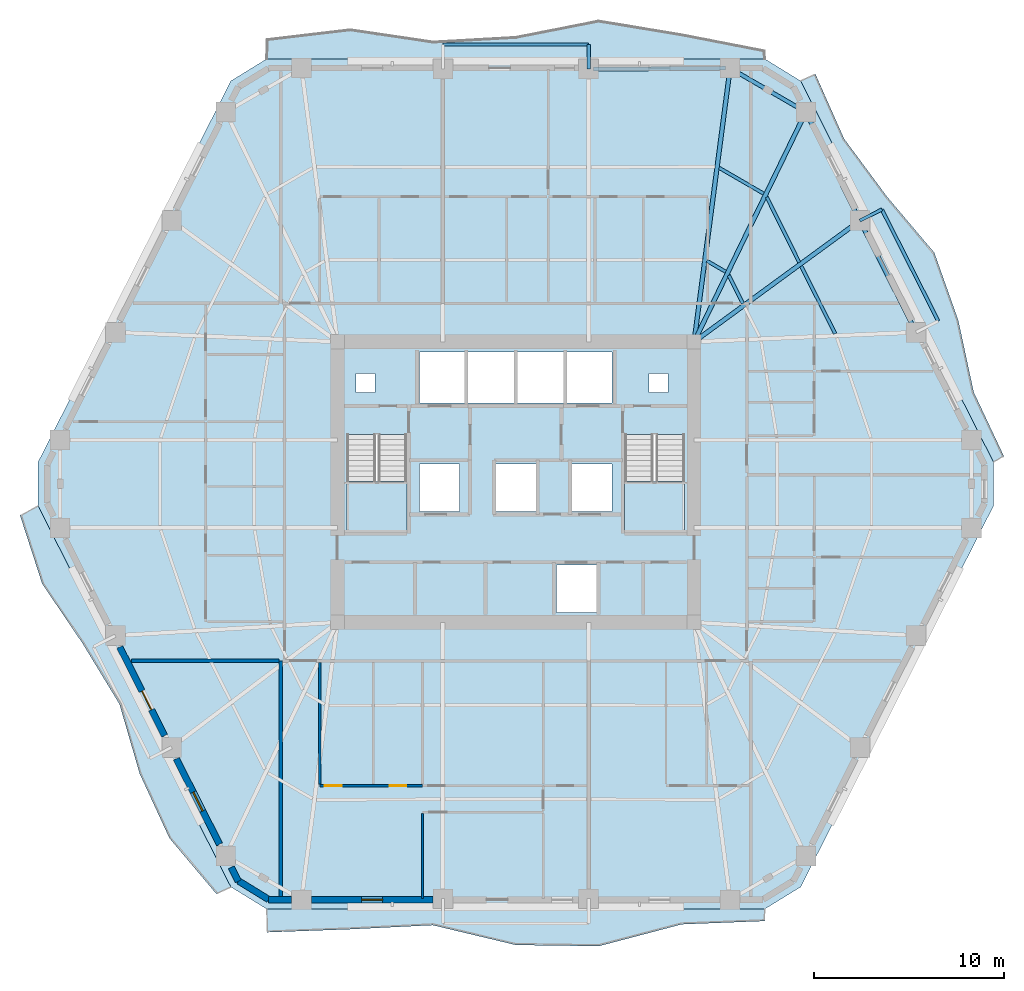
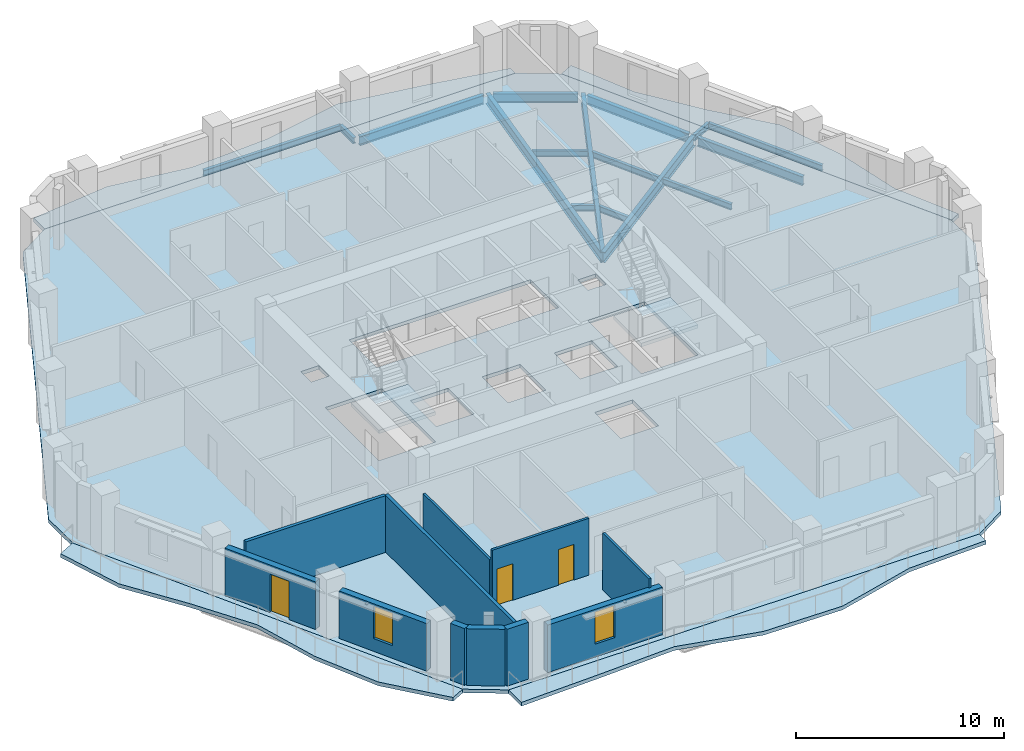
# One storey, part 3 of 12: 16 beams, 11 walls, 7 slabs, 3 doors, 2 windows, 5 openings, 2 elements without a shape of their own.
"""IFC4 building model written with IfcOpenShell, lengths in metres."""

from ifc_helpers import new_model, si_unit, direction, frame, frame_2d, origin, origin_2d, place, context, subcontext, project, spatial, polyline, rectangle, i_section, outline, extrude, material, layer, layer_set, material_profile, profile_set, type_object, element, fill, aggregate, save


model = new_model("IFC4")

# Units and contexts
model_context = context("Model", 3, precision=1e-05, world=origin(), true_north=direction((0.0, 1.0)))
body_context = subcontext(model_context, "Body", "Model", "MODEL_VIEW")
ifc_project = project(units=[si_unit("LENGTHUNIT", "METRE"), si_unit("AREAUNIT", "SQUARE_METRE"), si_unit("VOLUMEUNIT", "CUBIC_METRE"), si_unit("PLANEANGLEUNIT", "RADIAN"), si_unit("MASSUNIT", "GRAM", prefix="KILO")], contexts=[model_context])

# Site, building, storey
site_placement = place(None, origin())
site = spatial("IfcSite", under=ifc_project, at=site_placement, CompositionType="ELEMENT")
building_placement = place(site_placement, origin())
building = spatial("IfcBuilding", under=site, at=building_placement, Name="Cinnabar Lancet Tower", CompositionType="ELEMENT")
storey_placement = place(building_placement, frame((0.0, 0.0, 109.050048828125)))
storey = spatial("IfcBuildingStorey", under=building, at=storey_placement, Name="L28", CompositionType="ELEMENT", Elevation=109.050048828125)

# Beams
ifc_material_1 = material(Name="Structural steel S355", Category="steel")
ifc_material_profile_1 = material_profile(ifc_material_1, i_section(OverallWidth=0.17138671875, OverallDepth=0.35498046875, WebThickness=0.00732421875, FlangeThickness=0.011474609375, FilletRadius=0.01025390625, at=origin_2d()), Name="UKB 356x171x51")
ifc_profile_set_1 = profile_set([ifc_material_profile_1], Name="Structural steel S355")
beam_type_1 = type_object("IfcBeamType", Name="STR-BM-JST-356", PredefinedType="JOIST", material=ifc_profile_set_1)
beam_1_placement = place(storey_placement, frame((49.19189453125, 33.70703125, -0.386962890625), z_axis=(-0.450606998706, 0.892722427587, 0.0), x_axis=(-0.892722427587, -0.450606998706, 0.0)))
element("IfcBeam", 1, at=beam_1_placement, inside=storey, type_object=beam_type_1, Name="L28 Secondary Floor Joist 27", PredefinedType="JOIST", context=body_context, shape_type="SweptSolid", body=[
    extrude(i_section(OverallWidth=0.17138671875, OverallDepth=0.35498046875, WebThickness=0.00732421875, FlangeThickness=0.011474609375, FilletRadius=0.01025390625, at=origin_2d()), origin(), (0.0, 0.0, 1.0), 3.967529296875),
])
beam_2_placement = place(storey_placement, frame((47.300048828125, 37.455078125, -0.386962890625), z_axis=(-0.445116798807, 0.895472520751, 0.0), x_axis=(-0.895472520751, -0.445116798807, 0.0)))
element("IfcBeam", 2, at=beam_2_placement, inside=storey, type_object=beam_type_1, Name="L28 Secondary Floor Joist 29", PredefinedType="JOIST", context=body_context, shape_type="SweptSolid", body=[
    extrude(i_section(OverallWidth=0.17138671875, OverallDepth=0.35498046875, WebThickness=0.00732421875, FlangeThickness=0.011474609375, FilletRadius=0.01025390625, at=origin_2d()), origin(), (0.0, 0.0, 1.0), 3.8212890625),
])
beam_3_placement = place(storey_placement, frame((44.337890625, 35.2900390625, -0.386962890625), z_axis=(-0.445677136949, 0.895193772097, 0.0), x_axis=(-0.895193772097, -0.445677136949, 0.0)))
element("IfcBeam", 3, at=beam_3_placement, inside=storey, type_object=beam_type_1, Name="L28 Secondary Floor Joist 30", PredefinedType="JOIST", context=body_context, shape_type="SweptSolid", body=[
    extrude(i_section(OverallWidth=0.17138671875, OverallDepth=0.35498046875, WebThickness=0.00732421875, FlangeThickness=0.011474609375, FilletRadius=0.01025390625, at=origin_2d()), origin(), (0.0, 0.0, 1.0), 1.6533203125),
])
beam_4_placement = place(storey_placement, frame((45.43505859375, 41.06298828125, -0.386962890625), z_axis=(-0.865172906898, 0.501473669469, 0.0), x_axis=(-0.501473669469, -0.865172906898, 0.0)))
element("IfcBeam", 4, at=beam_4_placement, inside=storey, type_object=beam_type_1, Name="L28 Secondary Floor Joist 31", PredefinedType="JOIST", context=body_context, shape_type="SweptSolid", body=[
    extrude(i_section(OverallWidth=0.17138671875, OverallDepth=0.35498046875, WebThickness=0.00732421875, FlangeThickness=0.011474609375, FilletRadius=0.01025390625, at=origin_2d()), origin(), (0.0, 0.0, 1.0), 2.705810546875),
])
beam_5_placement = place(storey_placement, frame((43.43798828125, 36.9560546875, -0.386962890625), z_axis=(-0.865055308165, 0.501676503154, 0.0), x_axis=(-0.501676503154, -0.865055308165, 0.0)))
element("IfcBeam", 5, at=beam_5_placement, inside=storey, type_object=beam_type_1, Name="L28 Secondary Floor Joist 32", PredefinedType="JOIST", context=body_context, shape_type="SweptSolid", body=[
    extrude(i_section(OverallWidth=0.17138671875, OverallDepth=0.35498046875, WebThickness=0.00732421875, FlangeThickness=0.011474609375, FilletRadius=0.01025390625, at=origin_2d()), origin(), (0.0, 0.0, 1.0), 1.14208984375),
])
ifc_material_2 = material(Name="Structural steel S355", Category="steel")
ifc_material_profile_2 = material_profile(ifc_material_2, i_section(OverallWidth=0.209228515625, OverallDepth=0.533203125, WebThickness=0.010009765625, FlangeThickness=0.015625, FilletRadius=0.0126953125, at=origin_2d()), Name="UKB 533x210x92")
ifc_profile_set_2 = profile_set([ifc_material_profile_2], Name="Structural steel S355")
beam_type_2 = type_object("IfcBeamType", Name="STR-BM-SPN-533", PredefinedType="SPANDREL", material=ifc_profile_set_2)
beam_6_placement = place(storey_placement, frame((53.339111328125, 33.9990234375, -0.47705078125), z_axis=(-0.450570325924, 0.892740937449, 0.0), x_axis=(-0.892740937449, -0.450570325924, 0.0)))
element("IfcBeam", 6, at=beam_6_placement, inside=storey, type_object=beam_type_2, Name="L28 Perimeter Spandrel 10", PredefinedType="SPANDREL", context=body_context, shape_type="SweptSolid", body=[
    extrude(i_section(OverallWidth=0.209228515625, OverallDepth=0.533203125, WebThickness=0.010009765625, FlangeThickness=0.015625, FilletRadius=0.0126953125, at=origin_2d()), origin(), (0.0, 0.0, 1.0), 6.07470703125),
])
beam_7_placement = place(storey_placement, frame((50.3779296875, 39.868896484375, -0.47705078125), z_axis=(-0.445501068635, 0.89528140707, 0.0), x_axis=(-0.89528140707, -0.445501068635, 0.0)))
element("IfcBeam", 7, at=beam_7_placement, inside=storey, type_object=beam_type_2, Name="L28 Perimeter Spandrel 11", PredefinedType="SPANDREL", context=body_context, shape_type="SweptSolid", body=[
    extrude(i_section(OverallWidth=0.209228515625, OverallDepth=0.533203125, WebThickness=0.010009765625, FlangeThickness=0.015625, FilletRadius=0.0126953125, at=origin_2d()), origin(), (0.0, 0.0, 1.0), 5.87646484375),
])
beam_8_placement = place(storey_placement, frame((47.43310546875, 45.47900390625, -0.47705078125), z_axis=(-0.865138129765, 0.5015336643, 0.0), x_axis=(-0.5015336643, -0.865138129765, 0.0)))
element("IfcBeam", 8, at=beam_8_placement, inside=storey, type_object=beam_type_2, Name="L28 Perimeter Spandrel 12", PredefinedType="SPANDREL", context=body_context, shape_type="SweptSolid", body=[
    extrude(i_section(OverallWidth=0.209228515625, OverallDepth=0.533203125, WebThickness=0.010009765625, FlangeThickness=0.015625, FilletRadius=0.0126953125, at=origin_2d()), origin(), (0.0, 0.0, 1.0), 4.10107421875),
])
beam_9_placement = place(storey_placement, frame((43.4189453125, 47.658935546875, -0.47705078125), z_axis=(-0.999975228682, -0.007038609338, 0.0), x_axis=(0.007038609338, -0.999975228682, 0.0)))
element("IfcBeam", 9, at=beam_9_placement, inside=storey, type_object=beam_type_2, Name="L28 Perimeter Spandrel 13", PredefinedType="SPANDREL", context=body_context, shape_type="SweptSolid", body=[
    extrude(i_section(OverallWidth=0.209228515625, OverallDepth=0.533203125, WebThickness=0.010009765625, FlangeThickness=0.015625, FilletRadius=0.0126953125, at=origin_2d()), origin(), (0.0, 0.0, 1.0), 6.937255859375),
])
ifc_material_3 = material(Name="Structural steel S355", Category="steel")
ifc_material_profile_3 = material_profile(ifc_material_3, i_section(OverallWidth=0.228271484375, OverallDepth=0.607666015625, WebThickness=0.010986328125, FlangeThickness=0.017333984375, FilletRadius=0.0126953125, at=origin_2d()), Name="UKB 610x229x113")
ifc_profile_set_3 = profile_set([ifc_material_profile_3], Name="Structural steel S355")
beam_type_3 = type_object("IfcBeamType", Name="STR-BM-UKB610-113", PredefinedType="BEAM", material=ifc_profile_set_3)
beam_10_placement = place(storey_placement, frame((50.489013671875, 39.64501953125, -0.51416015625), z_axis=(-0.807297870919, -0.590144175273, 0.0), x_axis=(0.590144175273, -0.807297870919, 0.0)))
element("IfcBeam", 10, at=beam_10_placement, inside=storey, type_object=beam_type_3, Name="L28 Corner Collector Girder 3", PredefinedType="BEAM", context=body_context, shape_type="SweptSolid", body=[
    extrude(i_section(OverallWidth=0.228271484375, OverallDepth=0.607666015625, WebThickness=0.010986328125, FlangeThickness=0.017333984375, FilletRadius=0.0126953125, at=origin_2d()), origin(), (0.0, 0.0, 1.0), 10.794189453125),
])
beam_11_placement = place(storey_placement, frame((47.64892578125, 45.35400390625, -0.51416015625), z_axis=(-0.437327473227, -0.899302330232, 0.0), x_axis=(0.899302330232, -0.437327473227, 0.0)))
element("IfcBeam", 11, at=beam_11_placement, inside=storey, type_object=beam_type_3, Name="L28 Primary Floor Girder 12", PredefinedType="BEAM", context=body_context, shape_type="SweptSolid", body=[
    extrude(i_section(OverallWidth=0.228271484375, OverallDepth=0.607666015625, WebThickness=0.010986328125, FlangeThickness=0.017333984375, FilletRadius=0.0126953125, at=origin_2d()), origin(), (0.0, 0.0, 1.0), 13.431640625),
])
beam_12_placement = place(storey_placement, frame((43.6689453125, 47.660888671875, -0.51416015625), z_axis=(-0.130532420418, -0.991444041396, 0.0), x_axis=(0.991444041396, -0.130532420418, 0.0)))
element("IfcBeam", 12, at=beam_12_placement, inside=storey, type_object=beam_type_3, Name="L28 Primary Floor Girder 13", PredefinedType="BEAM", context=body_context, shape_type="SweptSolid", body=[
    extrude(i_section(OverallWidth=0.228271484375, OverallDepth=0.607666015625, WebThickness=0.010986328125, FlangeThickness=0.017333984375, FilletRadius=0.0126953125, at=origin_2d()), origin(), (0.0, 0.0, 1.0), 14.51025390625),
])
ifc_material_4 = material(Name="Structural steel S355", Category="steel")
ifc_material_profile_4 = material_profile(ifc_material_4, i_section(OverallWidth=0.17138671875, OverallDepth=0.35498046875, WebThickness=0.00732421875, FlangeThickness=0.011474609375, FilletRadius=0.01025390625, at=origin_2d()), Name="UKB 356x171x51")
ifc_profile_set_4 = profile_set([ifc_material_profile_4], Name="Structural steel S355")
beam_type_4 = type_object("IfcBeamType", Name="STR-BM-WAV-OUT", PredefinedType="BEAM", material=ifc_profile_set_4)
for number, where, z_axis, x_axis, name in (
    (13, (50.489013671875, 39.64501953125, -0.39697265625), (0.89227592947, 0.451490493464, 0.0), (-0.451490493464, 0.89227592947, 0.0), "L28 Face 3 Balcony Outlooker B"),
    (14, (36.23193359375, 47.60791015625, -0.39697265625), (0.0, 1.0, 0.0), (-1.0, 0.0, 0.0), "L28 Face 4 Balcony Outlooker A"),
):
    element("IfcBeam", number, at=place(storey_placement, frame(where, z_axis=z_axis, x_axis=x_axis)), inside=storey, type_object=beam_type_4, Name=name, PredefinedType="BEAM", context=body_context, shape_type="SweptSolid", body=[
        extrude(i_section(OverallWidth=0.17138671875, OverallDepth=0.35498046875, WebThickness=0.00732421875, FlangeThickness=0.011474609375, FilletRadius=0.01025390625, at=origin_2d()), origin(), (0.0, 0.0, 1.0), 1.300048828125),
    ])
ifc_material_5 = material(Name="Structural steel S355", Category="steel")
ifc_material_profile_5 = material_profile(ifc_material_5, i_section(OverallWidth=0.17138671875, OverallDepth=0.35498046875, WebThickness=0.00732421875, FlangeThickness=0.011474609375, FilletRadius=0.01025390625, at=origin_2d()), Name="UKB 356x171x51")
ifc_profile_set_5 = profile_set([ifc_material_profile_5], Name="Structural steel S355")
beam_type_5 = type_object("IfcBeamType", Name="STR-BM-WAV-TRIM", PredefinedType="SPANDREL", material=ifc_profile_set_5)
beam_13_placement = place(storey_placement, frame((54.612060546875, 34.363037109375, -0.39697265625), z_axis=(-0.450700828166, 0.892675060417, 0.0), x_axis=(-0.892675060417, -0.450700828166, 0.0)))
element("IfcBeam", 15, at=beam_13_placement, inside=storey, type_object=beam_type_5, Name="L28 Face 3 Balcony Edge Trimmer", PredefinedType="SPANDREL", context=body_context, shape_type="SweptSolid", body=[
    extrude(i_section(OverallWidth=0.17138671875, OverallDepth=0.35498046875, WebThickness=0.00732421875, FlangeThickness=0.011474609375, FilletRadius=0.01025390625, at=origin_2d()), origin(), (0.0, 0.0, 1.0), 6.574462890625),
])
beam_14_placement = place(storey_placement, frame((36.23193359375, 48.907958984375, -0.39697265625), z_axis=(-1.0, 0.0, 0.0), x_axis=(0.0, -1.0, 0.0)))
element("IfcBeam", 16, at=beam_14_placement, inside=storey, type_object=beam_type_5, Name="L28 Face 4 Balcony Edge Trimmer", PredefinedType="SPANDREL", context=body_context, shape_type="SweptSolid", body=[
    extrude(i_section(OverallWidth=0.17138671875, OverallDepth=0.35498046875, WebThickness=0.00732421875, FlangeThickness=0.011474609375, FilletRadius=0.01025390625, at=origin_2d()), origin(), (0.0, 0.0, 1.0), 7.663818359375),
])

# Stair, slab
ifc_material_6 = material(Name="Concrete C40/50", Category="concrete")
stair_type = type_object("IfcStairType", Name="ST-CORE", PredefinedType="HALF_TURN_STAIR", material=ifc_material_6)
stair_1_placement = place(storey_placement, origin())
stair_1 = element("IfcStair", 17, at=stair_1_placement, inside=storey, type_object=stair_type, Name="L28 ST-1", PredefinedType="HALF_TURN_STAIR")
ifc_material_7 = material(Name="Concrete C40/50", Category="concrete")
ifc_layer_1 = layer(ifc_material_7, 0.199951171875)
ifc_layer_set_1 = layer_set([ifc_layer_1], Name="Concrete C40/50")
slab_type_1 = type_object("IfcSlabType", Name="LANDING-CORE", PredefinedType="LANDING", material=ifc_layer_set_1)
slab_1_placement = place(storey_placement, frame((0.0, 0.0, 1.574951171875)))
slab_1 = element("IfcSlab", 18, at=slab_1_placement, type_object=slab_type_1, Name="ST-1 landing 1", PredefinedType="LANDING", context=body_context, shape_type="SweptSolid", body=[
    extrude(outline(polyline([(23.52490234375, 25.925048828125), (23.52490234375, 23.25), (26.675048828125, 23.25), (26.675048828125, 25.925048828125), (23.52490234375, 25.925048828125)])), origin(), (0.0, 0.0, 1.0), 0.199951171875),
])
aggregate(stair_1, [slab_1])

stair_2_placement = place(storey_placement, origin())
stair_2 = element("IfcStair", 19, at=stair_2_placement, inside=storey, type_object=stair_type, Name="L28 ST-2", PredefinedType="HALF_TURN_STAIR")
slab_2_placement = place(storey_placement, frame((0.0, 0.0, 1.574951171875)))
slab_2 = element("IfcSlab", 20, at=slab_2_placement, type_object=slab_type_1, Name="ST-2 landing 1", PredefinedType="LANDING", context=body_context, shape_type="SweptSolid", body=[
    extrude(outline(polyline([(38.125, 25.925048828125), (38.125, 23.25), (41.27490234375, 23.25), (41.27490234375, 25.925048828125), (38.125, 25.925048828125)])), origin(), (0.0, 0.0, 1.0), 0.199951171875),
])
aggregate(stair_2, [slab_2])

# Slabs
ifc_material_8 = material(Name="Concrete C40/50", Category="concrete")
ifc_layer_2 = layer(ifc_material_8, 0.2099609375)
ifc_layer_set_2 = layer_set([ifc_layer_2], Name="Concrete C40/50")
slab_type_2 = type_object("IfcSlabType", Name="STR-SLB-FLR-210", PredefinedType="FLOOR", material=ifc_layer_set_2)
slab_3_placement = place(storey_placement, frame((0.0, 0.0, -0.2099609375)))
element("IfcSlab", 21, at=slab_3_placement, inside=storey, type_object=slab_type_2, Name="L28 Structural Floor Slab", PredefinedType="FLOOR", context=body_context, shape_type="SweptSolid", body=[
    extrude(outline(polyline([(17.4208984375, 4.610107421875), (19.30810546875, 3.449951171875), (45.491943359375, 3.449951171875), (47.37890625, 4.610107421875), (57.512939453125, 24.639892578125), (57.512939453125, 26.9599609375), (47.37890625, 46.989990234375), (45.491943359375, 48.14990234375), (19.30810546875, 48.14990234375), (17.4208984375, 46.989990234375), (7.287109375, 26.9599609375), (7.287109375, 24.639892578125), (17.4208984375, 4.610107421875)]), holes=[polyline([(23.52490234375, 23.25), (26.675048828125, 23.25), (26.675048828125, 28.3994140625), (23.52490234375, 28.3994140625), (23.52490234375, 23.25)]), polyline([(38.125, 23.25), (41.27490234375, 23.25), (41.27490234375, 28.3994140625), (38.125, 28.3994140625), (38.125, 23.25)]), polyline([(27.35009765625, 30.050048828125), (37.449951171875, 30.050048828125), (37.449951171875, 32.75), (27.35009765625, 32.75), (27.35009765625, 30.050048828125)]), polyline([(34.550048828125, 19.050048828125), (36.64990234375, 19.050048828125), (36.64990234375, 21.550048828125), (34.550048828125, 21.550048828125), (34.550048828125, 19.050048828125)]), polyline([(27.35009765625, 24.35009765625), (29.449951171875, 24.35009765625), (29.449951171875, 26.85009765625), (27.35009765625, 26.85009765625), (27.35009765625, 24.35009765625)]), polyline([(35.35009765625, 24.35009765625), (37.449951171875, 24.35009765625), (37.449951171875, 26.85009765625), (35.35009765625, 26.85009765625), (35.35009765625, 24.35009765625)]), polyline([(31.35009765625, 24.35009765625), (33.449951171875, 24.35009765625), (33.449951171875, 26.85009765625), (31.35009765625, 26.85009765625), (31.35009765625, 24.35009765625)]), polyline([(24.0, 30.60009765625), (25.0, 30.60009765625), (25.0, 31.60009765625), (24.0, 31.60009765625), (24.0, 30.60009765625)]), polyline([(39.39990234375, 30.60009765625), (40.39990234375, 30.60009765625), (40.39990234375, 31.60009765625), (39.39990234375, 31.60009765625), (39.39990234375, 30.60009765625)])]), origin(), (0.0, 0.0, 1.0), 0.2099609375),
])
ifc_material_9 = material(Name="Concrete C45/55", Category="concrete")
ifc_layer_3 = layer(ifc_material_9, 0.219970703125)
ifc_layer_set_3 = layer_set([ifc_layer_3], Name="Concrete C45/55")
slab_type_3 = type_object("IfcSlabType", Name="STR-SLB-WAV-220", PredefinedType="FLOOR", material=ifc_layer_set_3)
slab_4_placement = place(storey_placement, frame((0.0, 0.0, -0.219970703125)))
element("IfcSlab", 22, at=slab_4_placement, inside=storey, type_object=slab_type_3, Name="L28 Face 1 Undulating Wave Balcony Slab", PredefinedType="FLOOR", context=body_context, shape_type="SweptSolid", body=[
    extrude(outline(polyline([(19.30810546875, 3.449951171875), (19.30810546875, 2.22705078125), (23.672119140625, 2.387939453125), (28.035888671875, 2.60205078125), (32.39990234375, 1.56103515625), (36.763916015625, 1.4990234375), (41.1279296875, 2.64794921875), (45.491943359375, 2.820068359375), (45.491943359375, 3.449951171875), (19.30810546875, 3.449951171875)])), origin(), (0.0, 0.0, 1.0), 0.219970703125),
])
slab_5_placement = place(storey_placement, frame((0.0, 0.0, -0.219970703125)))
element("IfcSlab", 23, at=slab_5_placement, inside=storey, type_object=slab_type_3, Name="L28 Face 3 Undulating Wave Balcony Slab", PredefinedType="FLOOR", context=body_context, shape_type="SweptSolid", body=[
    extrude(outline(polyline([(57.512939453125, 26.9599609375), (58.069091796875, 27.241943359375), (56.47607421875, 30.6279296875), (55.6630859375, 34.409912109375), (54.402099609375, 37.964111328125), (51.919921875, 40.902099609375), (49.658935546875, 43.950927734375), (48.139892578125, 47.375), (47.37890625, 46.989990234375), (57.512939453125, 26.9599609375)])), origin(), (0.0, 0.0, 1.0), 0.219970703125),
])
slab_6_placement = place(storey_placement, frame((0.0, 0.0, -0.219970703125)))
element("IfcSlab", 24, at=slab_6_placement, inside=storey, type_object=slab_type_3, Name="L28 Face 4 Undulating Wave Balcony Slab", PredefinedType="FLOOR", context=body_context, shape_type="SweptSolid", body=[
    extrude(outline(polyline([(45.491943359375, 48.14990234375), (45.491943359375, 48.6201171875), (41.1279296875, 49.472900390625), (36.763916015625, 50.194091796875), (32.39990234375, 49.337890625), (28.035888671875, 49.091064453125), (23.672119140625, 49.73291015625), (19.30810546875, 49.212890625), (19.30810546875, 48.14990234375), (45.491943359375, 48.14990234375)])), origin(), (0.0, 0.0, 1.0), 0.219970703125),
])
slab_7_placement = place(storey_placement, frame((0.0, 0.0, -0.219970703125)))
element("IfcSlab", 25, at=slab_7_placement, inside=storey, type_object=slab_type_3, Name="L28 Face 6 Undulating Wave Balcony Slab", PredefinedType="FLOOR", context=body_context, shape_type="SweptSolid", body=[
    extrude(outline(polyline([(7.287109375, 24.639892578125), (6.3330078125, 24.156982421875), (7.5, 20.554931640625), (9.613037109375, 17.430908203125), (11.56396484375, 14.22509765625), (12.6259765625, 10.570068359375), (14.195068359375, 7.1708984375), (16.672119140625, 4.23095703125), (17.4208984375, 4.610107421875), (7.287109375, 24.639892578125)])), origin(), (0.0, 0.0, 1.0), 0.219970703125),
])

# Walls
ifc_material_10 = material(Name="Fire-rated twin-frame acoustic drywall", Category="gypsum")
ifc_layer_4 = layer(ifc_material_10, 0.179931640625)
ifc_layer_set_4 = layer_set([ifc_layer_4], Name="Fire-rated twin-frame acoustic drywall")
wall_type_1 = type_object("IfcWallType", Name="ARC-WL-PARTY-180", PredefinedType="PARTITIONING", material=ifc_layer_set_4)
wall_1_placement = place(storey_placement, frame((20.050048828125, 4.10498046875, 0.0), z_axis=(0.0, 0.0, 1.0), x_axis=(0.0, 1.0, 0.0)))
element("IfcWall", 26, at=wall_1_placement, inside=storey, type_object=wall_type_1, Name="PW-L28-SPTY-200", PredefinedType="PARTITIONING", context=body_context, shape_type="SweptSolid", body=[
    extrude(rectangle(XDim=12.39501953125, YDim=0.179931640625, at=frame_2d((6.197509765625, 0.0))), origin(), (0.0, 0.0, 1.0), 3.33984375),
])
wall_2_placement = place(storey_placement, frame((12.18505859375, 16.5, 0.0), z_axis=(0.0, 0.0, 1.0), x_axis=(1.0, 0.0, 0.0)))
element("IfcWall", 27, at=wall_2_placement, inside=storey, type_object=wall_type_1, Name="PW-L28-WSB", PredefinedType="PARTITIONING", context=body_context, shape_type="SweptSolid", body=[
    extrude(rectangle(XDim=7.77001953125, YDim=0.179931640625, at=frame_2d((3.885009765625, 0.0))), origin(), (0.0, 0.0, 1.0), 3.33984375),
])
ifc_material_11 = material(Name="Gypsum plasterboard stud partition", Category="gypsum")
ifc_layer_5 = layer(ifc_material_11, 0.125)
ifc_layer_set_5 = layer_set([ifc_layer_5], Name="Gypsum plasterboard stud partition")
wall_type_2 = type_object("IfcWallType", Name="ARC-WL-UNIT-125", PredefinedType="PARTITIONING", material=ifc_layer_set_5)
wall_3_placement = place(storey_placement, frame((22.10009765625, 10.035888671875, 0.0), z_axis=(0.0, 0.0, 1.0), x_axis=(0.0, 1.0, 0.0)))
element("IfcWall", 28, at=wall_3_placement, inside=storey, type_object=wall_type_2, Name="UW-L28-S01-FOYE", PredefinedType="PARTITIONING", context=body_context, shape_type="SweptSolid", body=[
    extrude(rectangle(XDim=6.379150390625, YDim=0.125, at=frame_2d((3.189453125, 0.0))), origin(), (0.0, 0.0, 1.0), 2.721923828125),
])
wall_4_placement = place(storey_placement, frame((27.493896484375, 4.014892578125, 0.0), z_axis=(0.0, 0.0, 1.0), x_axis=(0.0, 1.0, 0.0)))
element("IfcWall", 29, at=wall_4_placement, inside=storey, type_object=wall_type_2, Name="UW-L28-S01-BD2W", PredefinedType="PARTITIONING", context=body_context, shape_type="SweptSolid", body=[
    extrude(rectangle(XDim=4.451171875, YDim=0.125, at=frame_2d((2.2255859375, 0.0))), origin(), (0.0, 0.0, 1.0), 3.33984375),
])

# Wall, openings, doors
ifc_material_12 = material(Name="Moisture-resistant cement-board plumbing wall", Category="masonry")
ifc_layer_6 = layer(ifc_material_12, 0.139892578125)
ifc_layer_set_6 = layer_set([ifc_layer_6], Name="Moisture-resistant cement-board plumbing wall")
wall_type_3 = type_object("IfcWallType", Name="ARC-WL-WET-140", PredefinedType="PLUMBINGWALL", material=ifc_layer_set_6)
wall_5_placement = place(storey_placement, frame((22.10009765625, 9.930908203125, 0.0), z_axis=(0.0, 0.0, 1.0), x_axis=(1.0, 0.0, 0.0)))
wall_5 = element("IfcWall", 30, at=wall_5_placement, inside=storey, type_object=wall_type_3, Name="UW-L28-S01-SPL", PredefinedType="PLUMBINGWALL", context=body_context, shape_type="SweptSolid", body=[
    extrude(rectangle(XDim=5.393798828125, YDim=0.139892578125, at=frame_2d((2.69677734375, 0.0))), origin(), (0.0, 0.0, 1.0), 3.33984375),
])
opening_1_placement = place(wall_5_placement, frame((3.674072265625, 0.0, 0.0)))
opening_1 = element("IfcOpeningElement", 31, at=opening_1_placement, cuts=wall_5, Name="Opening BD-01", PredefinedType="OPENING", context=body_context, shape_type="SweptSolid", body=[
    extrude(rectangle(XDim=0.860107421875, YDim=2.10009765625, at=frame_2d((0.43017578125, 1.050048828125))), frame((0.0, 0.079833984375, 0.0), z_axis=(0.0, -1.0, 0.0), x_axis=(1.0, 0.0, 0.0)), (0.0, 0.0, 1.0), 0.159912109375),
])
opening_2_placement = place(wall_5_placement, frame((0.260009765625, 0.0, 0.0)))
opening_2 = element("IfcOpeningElement", 32, at=opening_2_placement, cuts=wall_5, Name="Opening RD-02", PredefinedType="OPENING", context=body_context, shape_type="SweptSolid", body=[
    extrude(rectangle(XDim=0.8798828125, YDim=2.14990234375, at=frame_2d((0.43994140625, 1.074951171875))), frame((0.0, 0.079833984375, 0.0), z_axis=(0.0, -1.0, 0.0), x_axis=(1.0, 0.0, 0.0)), (0.0, 0.0, 1.0), 0.159912109375),
])
ifc_material_13 = material(Name="Moisture-resistant timber bathroom door", Category="wood")
door_type_1 = type_object("IfcDoorType", Name="ARC-DR-BATH", OperationType="NOTDEFINED", PredefinedType="DOOR", material=ifc_material_13)
door_1_placement = place(opening_1_placement, origin())
door_1 = element("IfcDoor", 33, at=door_1_placement, inside=storey, type_object=door_type_1, Name="DR-L28-S01-BTH", OperationType="SINGLE_SWING_LEFT", OverallHeight=2.10009765625, OverallWidth=0.860107421875, PredefinedType="DOOR", context=body_context, shape_type="SweptSolid", body=[
    extrude(rectangle(XDim=0.860107421875, YDim=2.10009765625, at=frame_2d((0.43017578125, 1.050048828125))), frame((0.0, 0.02490234375, 0.0), z_axis=(0.0, -1.0, 0.0), x_axis=(1.0, 0.0, 0.0)), (0.0, 0.0, 1.0), 0.050048828125),
])
fill(opening_1, door_1)
ifc_material_14 = material(Name="Engineered timber study door", Category="wood")
door_type_2 = type_object("IfcDoorType", Name="ARC-DR-STUDY", OperationType="NOTDEFINED", PredefinedType="DOOR", material=ifc_material_14)
door_2_placement = place(opening_2_placement, origin())
door_2 = element("IfcDoor", 34, at=door_2_placement, inside=storey, type_object=door_type_2, Name="DR-L28-S01-KIT", OperationType="SINGLE_SWING_RIGHT", OverallHeight=2.14990234375, OverallWidth=0.8798828125, PredefinedType="DOOR", context=body_context, shape_type="SweptSolid", body=[
    extrude(rectangle(XDim=0.8798828125, YDim=2.14990234375, at=frame_2d((0.43994140625, 1.074951171875))), frame((0.0, 0.02490234375, 0.0), z_axis=(0.0, -1.0, 0.0), x_axis=(1.0, 0.0, 0.0)), (0.0, 0.0, 1.0), 0.050048828125),
])
fill(opening_2, door_2)

# Walls
ifc_material_15 = material(Name="Cinnabar red clay brick", Category="masonry")
ifc_layer_7 = layer(ifc_material_15, 0.340087890625)
ifc_layer_set_7 = layer_set([ifc_layer_7], Name="Cinnabar red clay brick")
wall_type_4 = type_object("IfcWallType", Name="ENV-WL-BRK-RED-340", PredefinedType="STANDARD", material=ifc_layer_set_7)
wall_6_placement = place(storey_placement, frame((17.8291015625, 4.923095703125, 0.0), z_axis=(0.0, 0.0, 1.0), x_axis=(0.851798915137, -0.523868884523, 0.0)))
element("IfcWall", 35, at=wall_6_placement, inside=storey, type_object=wall_type_4, Name="L28 Chamfered Corner Brick Pier 1.1", PredefinedType="STANDARD", context=body_context, shape_type="SweptSolid", body=[
    extrude(rectangle(XDim=1.847900390625, YDim=0.340087890625, at=frame_2d((0.923828125, 0.0))), origin(), (0.0, 0.0, 1.0), 3.33984375),
])
wall_7_placement = place(storey_placement, frame((19.39794921875, 3.929931640625, 0.0), z_axis=(0.0, 0.0, 1.0), x_axis=(1.0, 0.0, 0.0)))
element("IfcWall", 36, at=wall_7_placement, inside=storey, type_object=wall_type_4, Name="L28 Face 1 Masonry Bay Wall 1", PredefinedType="STANDARD", context=body_context, shape_type="SweptSolid", body=[
    extrude(rectangle(XDim=1.2041015625, YDim=0.340087890625, at=frame_2d((0.60205078125, 0.0))), origin(), (0.0, 0.0, 1.0), 3.33984375),
])

# Wall, opening, window
wall_8_placement = place(storey_placement, frame((21.659912109375, 3.929931640625, 0.0), z_axis=(0.0, 0.0, 1.0), x_axis=(1.0, 0.0, 0.0)))
wall_8 = element("IfcWall", 37, at=wall_8_placement, inside=storey, type_object=wall_type_4, Name="L28 Face 1 Masonry Bay Wall 2", PredefinedType="STANDARD", context=body_context, shape_type="SweptSolid", body=[
    extrude(rectangle(XDim=6.379150390625, YDim=0.340087890625, at=frame_2d((3.189453125, 0.0))), origin(), (0.0, 0.0, 1.0), 2.796875),
])
opening_3_placement = place(wall_8_placement, frame((2.639892578125, 0.0, 0.75)))
opening_3 = element("IfcOpeningElement", 38, at=opening_3_placement, cuts=wall_8, Name="Opening WN-04", PredefinedType="OPENING", context=body_context, shape_type="SweptSolid", body=[
    extrude(rectangle(XDim=1.10009765625, YDim=1.89697265625, at=frame_2d((0.550048828125, 0.948486328125))), frame((0.0, 0.179931640625, 0.0), z_axis=(0.0, -1.0, 0.0), x_axis=(1.0, 0.0, 0.0)), (0.0, 0.0, 1.0), 0.360107421875),
])
ifc_material_16 = material(Name="Thermally broken bronze-anodized aluminium tall lancet window", Category="aluminium")
window_type = type_object("IfcWindowType", Name="ENV-WN-LANCET-1100", PartitioningType="SINGLE_PANEL", PredefinedType="WINDOW", material=ifc_material_16)
window_1_placement = place(opening_3_placement, origin())
window_1 = element("IfcWindow", 39, at=window_1_placement, inside=storey, type_object=window_type, Name="L28 Face 1 Gothic Lancet Window 2", OverallHeight=1.89697265625, OverallWidth=1.10009765625, PartitioningType="SINGLE_PANEL", PredefinedType="WINDOW", context=body_context, shape_type="SweptSolid", body=[
    extrude(rectangle(XDim=1.10009765625, YDim=1.89697265625, at=frame_2d((0.550048828125, 0.948486328125))), frame((0.0, 0.030029296875, 0.0), z_axis=(0.0, -1.0, 0.0), x_axis=(1.0, 0.0, 0.0)), (0.0, 0.0, 1.0), 0.06005859375),
])
fill(opening_3, window_1)

# Wall, opening, door
wall_9_placement = place(storey_placement, frame((11.580078125, 17.218017578125, 0.0), z_axis=(0.0, 0.0, 1.0), x_axis=(0.451567731634, -0.892236842855, 0.0)))
wall_9 = element("IfcWall", 40, at=wall_9_placement, inside=storey, type_object=wall_type_4, Name="L28 Face 6 Masonry Bay Wall 3", PredefinedType="STANDARD", context=body_context, shape_type="SweptSolid", body=[
    extrude(rectangle(XDim=5.219482421875, YDim=0.340087890625, at=frame_2d((2.60986328125, 0.0))), origin(), (0.0, 0.0, 1.0), 2.796875),
])
opening_4_placement = place(wall_9_placement, frame((2.5869140625, 0.0, 0.0)))
opening_4 = element("IfcOpeningElement", 41, at=opening_4_placement, cuts=wall_9, Name="Opening TD-01", PredefinedType="OPENING", context=body_context, shape_type="SweptSolid", body=[
    extrude(rectangle(XDim=1.10009765625, YDim=2.25, at=frame_2d((0.550048828125, 1.125))), frame((0.0, 0.179931640625, 0.0), z_axis=(0.0, -1.0, 0.0), x_axis=(1.0, 0.0, 0.0)), (0.0, 0.0, 1.0), 0.360107421875),
])
ifc_material_17 = material(Name="Thermally broken low-E glazed balcony terrace door", Category="wood")
door_type_3 = type_object("IfcDoorType", Name="ARC-DR-BALC", OperationType="NOTDEFINED", PredefinedType="DOOR", material=ifc_material_17)
door_3_placement = place(opening_4_placement, origin())
door_3 = element("IfcDoor", 42, at=door_3_placement, inside=storey, type_object=door_type_3, Name="L28 Face 6 Glazed Terrace Door", OperationType="SINGLE_SWING_RIGHT", OverallHeight=2.25, OverallWidth=1.10009765625, PredefinedType="DOOR", context=body_context, shape_type="SweptSolid", body=[
    extrude(rectangle(XDim=1.10009765625, YDim=2.25, at=frame_2d((0.550048828125, 1.125))), frame((0.0, 0.02490234375, 0.0), z_axis=(0.0, -1.0, 0.0), x_axis=(1.0, 0.0, 0.0)), (0.0, 0.0, 1.0), 0.050048828125),
])
fill(opening_4, door_3)

# Wall, opening, window
wall_10_placement = place(storey_placement, frame((14.549072265625, 11.34912109375, 0.0), z_axis=(0.0, 0.0, 1.0), x_axis=(0.451548465867, -0.892246593142, 0.0)))
wall_10 = element("IfcWall", 43, at=wall_10_placement, inside=storey, type_object=wall_type_4, Name="L28 Face 6 Masonry Bay Wall 4", PredefinedType="STANDARD", context=body_context, shape_type="SweptSolid", body=[
    extrude(rectangle(XDim=5.040283203125, YDim=0.340087890625, at=frame_2d((2.52001953125, 0.0))), origin(), (0.0, 0.0, 1.0), 2.796875),
])
opening_5_placement = place(wall_10_placement, frame((1.969970703125, 0.0, 0.75)))
opening_5 = element("IfcOpeningElement", 44, at=opening_5_placement, cuts=wall_10, Name="Opening WN-04", PredefinedType="OPENING", context=body_context, shape_type="SweptSolid", body=[
    extrude(rectangle(XDim=1.10009765625, YDim=1.89697265625, at=frame_2d((0.550048828125, 0.948486328125))), frame((0.0, 0.179931640625, 0.0), z_axis=(0.0, -1.0, 0.0), x_axis=(1.0, 0.0, 0.0)), (0.0, 0.0, 1.0), 0.360107421875),
])
window_2_placement = place(opening_5_placement, origin())
window_2 = element("IfcWindow", 45, at=window_2_placement, inside=storey, type_object=window_type, Name="L28 Face 6 Gothic Lancet Window 4", OverallHeight=1.89697265625, OverallWidth=1.10009765625, PartitioningType="SINGLE_PANEL", PredefinedType="WINDOW", context=body_context, shape_type="SweptSolid", body=[
    extrude(rectangle(XDim=1.10009765625, YDim=1.89697265625, at=frame_2d((0.550048828125, 0.948486328125))), frame((0.0, 0.030029296875, 0.0), z_axis=(0.0, -1.0, 0.0), x_axis=(1.0, 0.0, 0.0)), (0.0, 0.0, 1.0), 0.06005859375),
])
fill(opening_5, window_2)

# Wall
wall_11_placement = place(storey_placement, frame((17.43798828125, 5.639892578125, 0.0), z_axis=(0.0, 0.0, 1.0), x_axis=(0.45172514337, -0.892157158155, 0.0)))
element("IfcWall", 46, at=wall_11_placement, inside=storey, type_object=wall_type_4, Name="L28 Face 6 Masonry Bay Wall 5", PredefinedType="STANDARD", context=body_context, shape_type="SweptSolid", body=[
    extrude(rectangle(XDim=0.821533203125, YDim=0.340087890625, at=frame_2d((0.41064453125, 0.0))), origin(), (0.0, 0.0, 1.0), 3.33984375),
])

save(model, "model.ifc")
